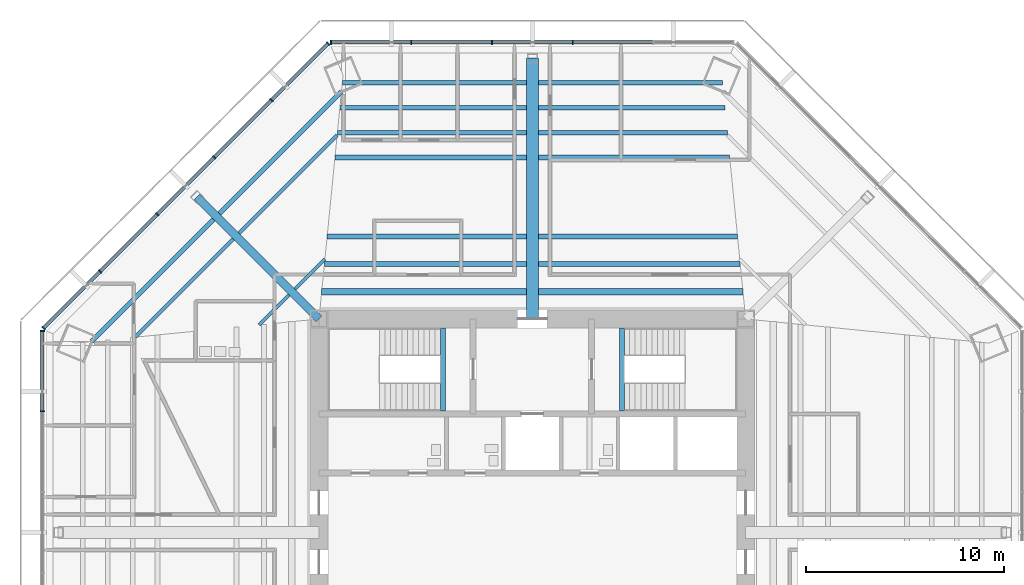
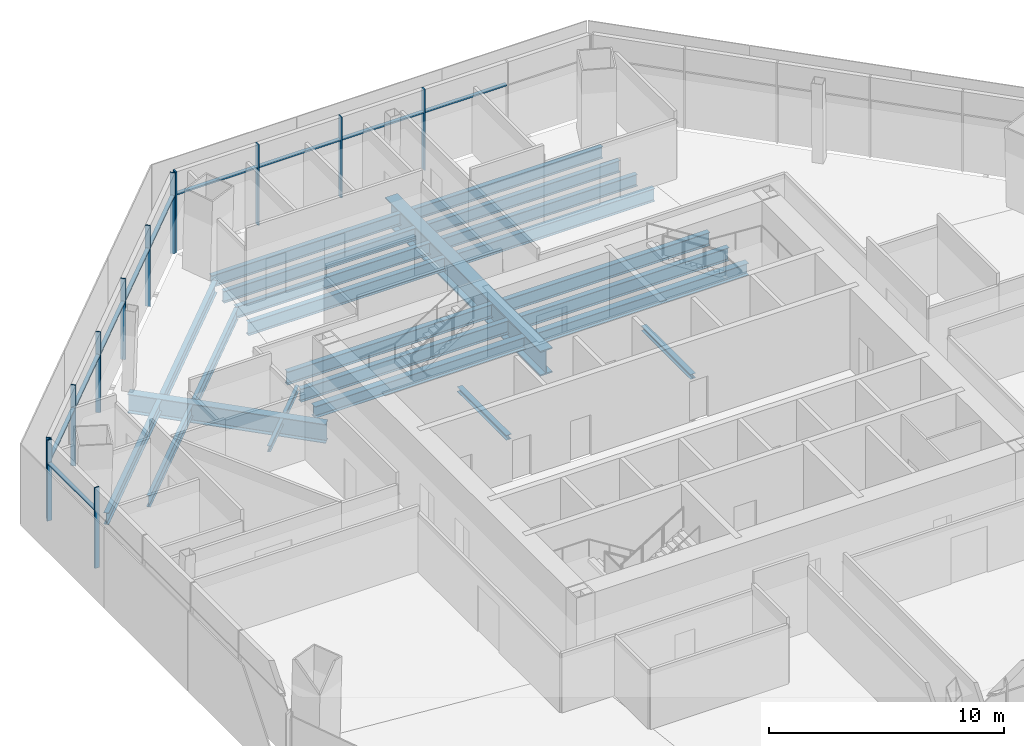
# One storey, part 5 of 14: 24 beams, 22 members, 3 elements without a shape of their own.
"""IFC4 building model written with IfcOpenShell, lengths in metres."""

from ifc_helpers import new_model, si_unit, direction, frame, origin, origin_2d, place, context, subcontext, project, spatial, rectangle, i_section, extrude, source, transform, mapped, material, material_profile, profile_set, type_object, type_shapes, element, aggregate, save


model = new_model("IFC4")

# Units and contexts
model_context = context("Model", 3, precision=1e-05, world=origin(), true_north=direction((0.0, 1.0)))
body_context = subcontext(model_context, "Body", "Model", "MODEL_VIEW")
ifc_project = project(units=[si_unit("LENGTHUNIT", "METRE"), si_unit("AREAUNIT", "SQUARE_METRE"), si_unit("VOLUMEUNIT", "CUBIC_METRE"), si_unit("PLANEANGLEUNIT", "RADIAN"), si_unit("MASSUNIT", "GRAM", prefix="KILO")], contexts=[model_context])

# Site, building, storey
site_placement = place(None, origin())
site = spatial("IfcSite", under=ifc_project, at=site_placement, CompositionType="ELEMENT")
building_placement = place(site_placement, origin())
building = spatial("IfcBuilding", under=site, at=building_placement, Name="Mashrafa Tower", CompositionType="ELEMENT")
storey_placement = place(building_placement, frame((0.0, 0.0, 113.39990234375)))
storey = spatial("IfcBuildingStorey", under=building, at=storey_placement, Name="L25", CompositionType="ELEMENT", Elevation=113.39990234375)

# Beams
ifc_material_1 = material(Name="Steel ASTM A572 Gr 50", Category="steel")
ifc_material_profile_1 = material_profile(ifc_material_1, i_section(OverallWidth=0.60009765625, OverallDepth=1.300048828125, WebThickness=0.028076171875, FlangeThickness=0.06494140625, at=origin_2d()), Name="H1300X600X28X65")
ifc_profile_set_1 = profile_set([ifc_material_profile_1], Name="Steel ASTM A572 Gr 50")
beam_type_1 = type_object("IfcBeamType", Name="Beam H1300X600X28X65", PredefinedType="BEAM", material=ifc_profile_set_1)
beam_1_placement = place(storey_placement, frame((0.0, 10.800048828125, -0.81494140625), z_axis=(0.0, 1.0, 0.0), x_axis=(-1.0, 0.0, 0.0)))
element("IfcBeam", 1, at=beam_1_placement, inside=storey, type_object=beam_type_1, Name="Radial girder L25 085", PredefinedType="BEAM", context=body_context, shape_type="SweptSolid", body=[
    extrude(i_section(OverallWidth=0.60009765625, OverallDepth=1.300048828125, WebThickness=0.028076171875, FlangeThickness=0.06494140625, at=origin_2d()), origin(), (0.0, 0.0, 1.0), 13.21142578125),
])
ifc_material_2 = material(Name="Steel ASTM A992", Category="steel")
ifc_material_profile_2 = material_profile(ifc_material_2, i_section(OverallWidth=0.164794921875, OverallDepth=0.309814453125, WebThickness=0.005859375, FlangeThickness=0.009765625, FilletRadius=0.007568359375, at=origin_2d()), Name="W12X26")
ifc_profile_set_2 = profile_set([ifc_material_profile_2], Name="Steel ASTM A992")
beam_type_2 = type_object("IfcBeamType", Name="Beam W12X26", PredefinedType="BEAM", material=ifc_profile_set_2)
for number, where, z_axis, x_axis, name in (
    (2, (-13.82763671875, 10.5009765625, -0.31982421875), (0.707050042428, 0.707163515393, 0.0), (-0.707163515393, 0.707050042428, 0.0), "Floor beam L25 017"),
    (3, (-12.0224609375, 12.306396484375, -0.31982421875), (0.707163515393, 0.707050042428, 0.0), (-0.707050042428, 0.707163515393, 0.0), "Floor beam L25 023"),
):
    element("IfcBeam", number, at=place(storey_placement, frame(where, z_axis=z_axis, x_axis=x_axis)), inside=storey, type_object=beam_type_2, Name=name, PredefinedType="BEAM", context=body_context, shape_type="SweptSolid", body=[
        extrude(i_section(OverallWidth=0.164794921875, OverallDepth=0.309814453125, WebThickness=0.005859375, FlangeThickness=0.009765625, FilletRadius=0.007568359375, at=origin_2d()), origin(), (0.0, 0.0, 1.0), 2.151611328125),
    ])
ifc_material_3 = material(Name="Steel ASTM A992", Category="steel")
ifc_material_profile_3 = material_profile(ifc_material_3, i_section(OverallWidth=0.3251953125, OverallDepth=0.612060546875, WebThickness=0.0126953125, FlangeThickness=0.01904296875, FilletRadius=0.0126953125, at=origin_2d()), Name="W24X104")
ifc_profile_set_3 = profile_set([ifc_material_profile_3], Name="Steel ASTM A992")
beam_type_3 = type_object("IfcBeamType", Name="Beam W24X104", PredefinedType="BEAM", material=ifc_profile_set_3)
for number, where, z_axis, x_axis, name in (
    (4, (-10.662841796875, 12.18896484375, -0.470947265625), (1.0, 0.0, 0.0), (0.0, 1.0, 0.0), "Floor beam L25 024"),
    (5, (0.300048828125, 12.18896484375, -0.470947265625), (1.0, 0.0, 0.0), (0.0, 1.0, 0.0), "Floor beam L25 041"),
):
    element("IfcBeam", number, at=place(storey_placement, frame(where, z_axis=z_axis, x_axis=x_axis)), inside=storey, type_object=beam_type_3, Name=name, PredefinedType="BEAM", context=body_context, shape_type="SweptSolid", body=[
        extrude(i_section(OverallWidth=0.3251953125, OverallDepth=0.612060546875, WebThickness=0.0126953125, FlangeThickness=0.01904296875, FilletRadius=0.0126953125, at=origin_2d()), origin(), (0.0, 0.0, 1.0), 10.36279296875),
    ])
ifc_material_4 = material(Name="Steel ASTM A992", Category="steel")
ifc_material_profile_4 = material_profile(ifc_material_4, i_section(OverallWidth=0.177978515625, OverallDepth=0.599365234375, WebThickness=0.010009765625, FlangeThickness=0.012939453125, FilletRadius=0.012939453125, at=origin_2d()), Name="W24X55")
ifc_profile_set_4 = profile_set([ifc_material_profile_4], Name="Steel ASTM A992")
beam_type_4 = type_object("IfcBeamType", Name="Beam W24X55", PredefinedType="BEAM", material=ifc_profile_set_4)
for number, where, z_axis, x_axis, name in (
    (6, (-20.1044921875, 9.881103515625, -0.464599609375), (0.707106781187, 0.707106781187, 0.0), (-0.707106781187, 0.707106781187, 0.0), "Floor beam L25 008"),
    (7, (-14.850830078125, 15.134765625, -0.464599609375), (0.707106781187, 0.707106781187, 0.0), (-0.707106781187, 0.707106781187, 0.0), "Floor beam L25 014"),
):
    element("IfcBeam", number, at=place(storey_placement, frame(where, z_axis=z_axis, x_axis=x_axis)), inside=storey, type_object=beam_type_4, Name=name, PredefinedType="BEAM", context=body_context, shape_type="SweptSolid", body=[
        extrude(i_section(OverallWidth=0.177978515625, OverallDepth=0.599365234375, WebThickness=0.010009765625, FlangeThickness=0.012939453125, FilletRadius=0.012939453125, at=origin_2d()), origin(), (0.0, 0.0, 1.0), 7.0283203125),
    ])
ifc_material_5 = material(Name="Steel ASTM A992", Category="steel")
ifc_material_profile_5 = material_profile(ifc_material_5, i_section(OverallWidth=0.228271484375, OverallDepth=0.607177734375, WebThickness=0.01123046875, FlangeThickness=0.017333984375, FilletRadius=0.0126953125, at=origin_2d()), Name="W24X76")
ifc_profile_set_5 = profile_set([ifc_material_profile_5], Name="Steel ASTM A992")
beam_type_5 = type_object("IfcBeamType", Name="Beam W24X76", PredefinedType="BEAM", material=ifc_profile_set_5)
for number, where, z_axis, x_axis, name in (
    (8, (-22.307861328125, 9.66357421875, -0.468505859375), (0.707106781187, 0.707106781187, 0.0), (-0.707106781187, 0.707106781187, 0.0), "Floor beam L25 003"),
    (9, (-15.84375, 16.127685546875, -0.468505859375), (0.707106781187, 0.707106781187, 0.0), (-0.707106781187, 0.707106781187, 0.0), "Floor beam L25 012"),
):
    element("IfcBeam", number, at=place(storey_placement, frame(where, z_axis=z_axis, x_axis=x_axis)), inside=storey, type_object=beam_type_5, Name=name, PredefinedType="BEAM", context=body_context, shape_type="SweptSolid", body=[
        extrude(i_section(OverallWidth=0.228271484375, OverallDepth=0.607177734375, WebThickness=0.01123046875, FlangeThickness=0.017333984375, FilletRadius=0.0126953125, at=origin_2d()), origin(), (0.0, 0.0, 1.0), 8.739990234375),
    ])
ifc_material_6 = material(Name="Steel ASTM A992", Category="steel")
ifc_material_profile_6 = material_profile(ifc_material_6, i_section(OverallWidth=0.22900390625, OverallDepth=0.612060546875, WebThickness=0.011962890625, FlangeThickness=0.01953125, FilletRadius=0.0126953125, at=origin_2d()), Name="W24X84")
ifc_profile_set_6 = profile_set([ifc_material_profile_6], Name="Steel ASTM A992")
beam_type_6 = type_object("IfcBeamType", Name="Beam W24X84", PredefinedType="BEAM", material=ifc_profile_set_6)
beam_2_placement = place(storey_placement, frame((-9.868896484375, 20.22802734375, -0.470947265625), z_axis=(1.0, 0.0, 0.0), x_axis=(0.0, 1.0, 0.0)))
element("IfcBeam", 10, at=beam_2_placement, inside=storey, type_object=beam_type_6, Name="Floor beam L25 030", PredefinedType="BEAM", context=body_context, shape_type="SweptSolid", body=[
    extrude(i_section(OverallWidth=0.22900390625, OverallDepth=0.612060546875, WebThickness=0.011962890625, FlangeThickness=0.01953125, FilletRadius=0.0126953125, at=origin_2d()), origin(), (0.0, 0.0, 1.0), 9.56884765625),
])
beam_3_placement = place(storey_placement, frame((-9.744384765625, 21.4892578125, -0.470947265625), z_axis=(1.0, 0.0, 0.0), x_axis=(0.0, 1.0, 0.0)))
element("IfcBeam", 11, at=beam_3_placement, inside=storey, type_object=beam_type_6, Name="Floor beam L25 031", PredefinedType="BEAM", context=body_context, shape_type="SweptSolid", body=[
    extrude(i_section(OverallWidth=0.22900390625, OverallDepth=0.612060546875, WebThickness=0.011962890625, FlangeThickness=0.01953125, FilletRadius=0.0126953125, at=origin_2d()), origin(), (0.0, 0.0, 1.0), 9.4443359375),
])
beam_4_placement = place(storey_placement, frame((-9.619873046875, 22.75048828125, -0.470947265625), z_axis=(1.0, 0.0, 0.0), x_axis=(0.0, 1.0, 0.0)))
element("IfcBeam", 12, at=beam_4_placement, inside=storey, type_object=beam_type_6, Name="Floor beam L25 033", PredefinedType="BEAM", context=body_context, shape_type="SweptSolid", body=[
    extrude(i_section(OverallWidth=0.22900390625, OverallDepth=0.612060546875, WebThickness=0.011962890625, FlangeThickness=0.01953125, FilletRadius=0.0126953125, at=origin_2d()), origin(), (0.0, 0.0, 1.0), 9.31982421875),
])
beam_5_placement = place(storey_placement, frame((0.300048828125, 20.22802734375, -0.470947265625), z_axis=(1.0, 0.0, 0.0), x_axis=(0.0, 1.0, 0.0)))
element("IfcBeam", 13, at=beam_5_placement, inside=storey, type_object=beam_type_6, Name="Floor beam L25 045", PredefinedType="BEAM", context=body_context, shape_type="SweptSolid", body=[
    extrude(i_section(OverallWidth=0.22900390625, OverallDepth=0.612060546875, WebThickness=0.011962890625, FlangeThickness=0.01953125, FilletRadius=0.0126953125, at=origin_2d()), origin(), (0.0, 0.0, 1.0), 9.56884765625),
])
beam_6_placement = place(storey_placement, frame((0.300048828125, 21.4892578125, -0.470947265625), z_axis=(1.0, 0.0, 0.0), x_axis=(0.0, 1.0, 0.0)))
element("IfcBeam", 14, at=beam_6_placement, inside=storey, type_object=beam_type_6, Name="Floor beam L25 046", PredefinedType="BEAM", context=body_context, shape_type="SweptSolid", body=[
    extrude(i_section(OverallWidth=0.22900390625, OverallDepth=0.612060546875, WebThickness=0.011962890625, FlangeThickness=0.01953125, FilletRadius=0.0126953125, at=origin_2d()), origin(), (0.0, 0.0, 1.0), 9.4443359375),
])
beam_7_placement = place(storey_placement, frame((0.300048828125, 22.75048828125, -0.470947265625), z_axis=(1.0, 0.0, 0.0), x_axis=(0.0, 1.0, 0.0)))
element("IfcBeam", 15, at=beam_7_placement, inside=storey, type_object=beam_type_6, Name="Floor beam L25 047", PredefinedType="BEAM", context=body_context, shape_type="SweptSolid", body=[
    extrude(i_section(OverallWidth=0.22900390625, OverallDepth=0.612060546875, WebThickness=0.011962890625, FlangeThickness=0.01953125, FilletRadius=0.0126953125, at=origin_2d()), origin(), (0.0, 0.0, 1.0), 9.31982421875),
])
ifc_material_7 = material(Name="Steel ASTM A992", Category="steel")
ifc_material_profile_7 = material_profile(ifc_material_7, i_section(OverallWidth=0.25390625, OverallDepth=0.67822265625, WebThickness=0.01171875, FlangeThickness=0.016357421875, FilletRadius=0.01513671875, at=origin_2d()), Name="W27X84")
ifc_profile_set_7 = profile_set([ifc_material_profile_7], Name="Steel ASTM A992")
beam_type_7 = type_object("IfcBeamType", Name="Beam W27X84", PredefinedType="BEAM", material=ifc_profile_set_7)
for number, where, z_axis, x_axis, name in (
    (16, (-9.993408203125, 18.967041015625, -0.50390625), (1.0, 0.0, 0.0), (0.0, 1.0, 0.0), "Floor beam L25 028"),
    (17, (0.300048828125, 18.967041015625, -0.50390625), (1.0, 0.0, 0.0), (0.0, 1.0, 0.0), "Floor beam L25 044"),
):
    element("IfcBeam", number, at=place(storey_placement, frame(where, z_axis=z_axis, x_axis=x_axis)), inside=storey, type_object=beam_type_7, Name=name, PredefinedType="BEAM", context=body_context, shape_type="SweptSolid", body=[
        extrude(i_section(OverallWidth=0.25390625, OverallDepth=0.67822265625, WebThickness=0.01171875, FlangeThickness=0.016357421875, FilletRadius=0.01513671875, at=origin_2d()), origin(), (0.0, 0.0, 1.0), 9.693359375),
    ])
ifc_material_8 = material(Name="Steel ASTM A992", Category="steel")
ifc_material_profile_8 = material_profile(ifc_material_8, i_section(OverallWidth=0.25390625, OverallDepth=0.683349609375, WebThickness=0.012451171875, FlangeThickness=0.01904296875, FilletRadius=0.01513671875, at=origin_2d()), Name="W27X94")
ifc_profile_set_8 = profile_set([ifc_material_profile_8], Name="Steel ASTM A992")
beam_type_8 = type_object("IfcBeamType", Name="Beam W27X94", PredefinedType="BEAM", material=ifc_profile_set_8)
beam_8_placement = place(storey_placement, frame((-10.525634765625, 13.577880859375, -0.506591796875), z_axis=(1.0, 0.0, 0.0), x_axis=(0.0, 1.0, 0.0)))
element("IfcBeam", 18, at=beam_8_placement, inside=storey, type_object=beam_type_8, Name="Floor beam L25 025", PredefinedType="BEAM", context=body_context, shape_type="SweptSolid", body=[
    extrude(i_section(OverallWidth=0.25390625, OverallDepth=0.683349609375, WebThickness=0.012451171875, FlangeThickness=0.01904296875, FilletRadius=0.01513671875, at=origin_2d()), origin(), (0.0, 0.0, 1.0), 10.2255859375),
])
beam_9_placement = place(storey_placement, frame((-10.388427734375, 14.967041015625, -0.506591796875), z_axis=(1.0, 0.0, 0.0), x_axis=(0.0, 1.0, 0.0)))
element("IfcBeam", 19, at=beam_9_placement, inside=storey, type_object=beam_type_8, Name="Floor beam L25 027", PredefinedType="BEAM", context=body_context, shape_type="SweptSolid", body=[
    extrude(i_section(OverallWidth=0.25390625, OverallDepth=0.683349609375, WebThickness=0.012451171875, FlangeThickness=0.01904296875, FilletRadius=0.01513671875, at=origin_2d()), origin(), (0.0, 0.0, 1.0), 10.08837890625),
])
beam_10_placement = place(storey_placement, frame((0.300048828125, 13.577880859375, -0.506591796875), z_axis=(1.0, 0.0, 0.0), x_axis=(0.0, 1.0, 0.0)))
element("IfcBeam", 20, at=beam_10_placement, inside=storey, type_object=beam_type_8, Name="Floor beam L25 042", PredefinedType="BEAM", context=body_context, shape_type="SweptSolid", body=[
    extrude(i_section(OverallWidth=0.25390625, OverallDepth=0.683349609375, WebThickness=0.012451171875, FlangeThickness=0.01904296875, FilletRadius=0.01513671875, at=origin_2d()), origin(), (0.0, 0.0, 1.0), 10.2255859375),
])
beam_11_placement = place(storey_placement, frame((0.300048828125, 14.967041015625, -0.506591796875), z_axis=(1.0, 0.0, 0.0), x_axis=(0.0, 1.0, 0.0)))
element("IfcBeam", 21, at=beam_11_placement, inside=storey, type_object=beam_type_8, Name="Floor beam L25 043", PredefinedType="BEAM", context=body_context, shape_type="SweptSolid", body=[
    extrude(i_section(OverallWidth=0.25390625, OverallDepth=0.683349609375, WebThickness=0.012451171875, FlangeThickness=0.01904296875, FilletRadius=0.01513671875, at=origin_2d()), origin(), (0.0, 0.0, 1.0), 10.08837890625),
])
ifc_material_9 = material(Name="Steel ASTM A992", Category="steel")
ifc_material_profile_9 = material_profile(ifc_material_9, i_section(OverallWidth=0.4013671875, OverallDepth=0.98291015625, WebThickness=0.0166015625, FlangeThickness=0.027099609375, FilletRadius=0.0126953125, at=origin_2d()), Name="W40X199")
ifc_profile_set_9 = profile_set([ifc_material_profile_9], Name="Steel ASTM A992")
beam_type_9 = type_object("IfcBeamType", Name="Beam W40X199", PredefinedType="BEAM", material=ifc_profile_set_9)
beam_12_placement = place(storey_placement, frame((-10.800048828125, 10.800048828125, -0.656494140625), z_axis=(-0.707106781187, 0.707106781187, 0.0), x_axis=(-0.707106781187, -0.707106781187, 0.0)))
element("IfcBeam", 22, at=beam_12_placement, inside=storey, type_object=beam_type_9, Name="Radial girder L25 083", PredefinedType="BEAM", context=body_context, shape_type="SweptSolid", body=[
    extrude(i_section(OverallWidth=0.4013671875, OverallDepth=0.98291015625, WebThickness=0.0166015625, FlangeThickness=0.027099609375, FilletRadius=0.0126953125, at=origin_2d()), origin(), (0.0, 0.0, 1.0), 8.738037109375),
])
ifc_material_10 = material(Name="Steel ASTM A992", Category="steel")
ifc_material_profile_10 = material_profile(ifc_material_10, i_section(OverallWidth=0.25390625, OverallDepth=0.25390625, WebThickness=0.008544921875, FlangeThickness=0.01416015625, FilletRadius=0.010009765625, at=origin_2d()), Name="W10X49")
ifc_profile_set_10 = profile_set([ifc_material_profile_10], Name="Steel ASTM A992")
beam_type_10 = type_object("IfcBeamType", Name="Hoistway beam W10X49", PredefinedType="BEAM", material=ifc_profile_set_10)
for number, where, z_axis, x_axis, name in (
    (23, (-4.530029296875, 6.14990234375, -0.326904296875), (0.0, 1.0, 0.0), (-1.0, 0.0, 0.0), "Stair S1 landing beam L25"),
    (24, (4.530029296875, 6.14990234375, -0.326904296875), (0.0, 1.0, 0.0), (-1.0, 0.0, 0.0), "Stair S2 landing beam L25"),
):
    element("IfcBeam", number, at=place(storey_placement, frame(where, z_axis=z_axis, x_axis=x_axis)), inside=storey, type_object=beam_type_10, Name=name, PredefinedType="BEAM", context=body_context, shape_type="SweptSolid", body=[
        extrude(i_section(OverallWidth=0.25390625, OverallDepth=0.25390625, WebThickness=0.008544921875, FlangeThickness=0.01416015625, FilletRadius=0.010009765625, at=origin_2d()), origin(), (0.0, 0.0, 1.0), 4.2001953125),
    ])

# Curtain wall, members
ifc_material_11 = material(Name="Unitised aluminium curtain wall", Category="aluminium")
curtain_wall_type = type_object("IfcCurtainWallType", Name="Office curtain wall, zone 2 CW-B 225 deep", PredefinedType="NOTDEFINED", material=ifc_material_11)
curtain_wall_1_placement = place(storey_placement, origin())
curtain_wall_1 = element("IfcCurtainWall", 25, at=curtain_wall_1_placement, inside=storey, type_object=curtain_wall_type, Name="Office curtain wall, zone 2 L25 north", PredefinedType="NOTDEFINED")
ifc_material_12 = material(Name="Extruded aluminium mullion", Category="aluminium")
ifc_material_profile_11 = material_profile(ifc_material_12, rectangle(XDim=0.22509765625, YDim=0.06494140625, at=origin_2d()), Name="Mullion 65x225")
ifc_profile_set_11 = profile_set([ifc_material_profile_11], Name="Extruded aluminium mullion")
member_type_1 = type_object("IfcMemberType", Name="Mullion CW-B 65 x 225", PredefinedType="MULLION", material=ifc_profile_set_11)
shared_shape_1 = source(origin(), body_context, "Body", "SweptSolid", [
    extrude(rectangle(XDim=0.22509765625, YDim=0.06494140625, at=origin_2d()), origin(), (0.0, 0.0, 1.0), 4.2001953125),
])
type_shapes(member_type_1, [shared_shape_1])
member_1_placement = place(storey_placement, frame((2.043701171875, 24.806884765625, 0.0), z_axis=(0.0, 0.0, 1.0), x_axis=(0.0, -1.0, 0.0)))
member_1 = element("IfcMember", 26, at=member_1_placement, type_object=member_type_1, Name="CW-B mullion 3", PredefinedType="MULLION", context=body_context, shape_type="MappedRepresentation", body=[
    mapped(shared_shape_1, transform((0.0, 0.0, 0.0))),
])
member_2_placement = place(storey_placement, frame((-2.043701171875, 24.806884765625, 0.0), z_axis=(0.0, 0.0, 1.0), x_axis=(0.0, -1.0, 0.0)))
member_2 = element("IfcMember", 27, at=member_2_placement, type_object=member_type_1, Name="CW-B mullion 4", PredefinedType="MULLION", context=body_context, shape_type="MappedRepresentation", body=[
    mapped(shared_shape_1, transform((0.0, 0.0, 0.0))),
])
member_3_placement = place(storey_placement, frame((-6.13134765625, 24.806884765625, 0.0), z_axis=(0.0, 0.0, 1.0), x_axis=(0.0, -1.0, 0.0)))
member_3 = element("IfcMember", 28, at=member_3_placement, type_object=member_type_1, Name="CW-B mullion 5", PredefinedType="MULLION", context=body_context, shape_type="MappedRepresentation", body=[
    mapped(shared_shape_1, transform((0.0, 0.0, 0.0))),
])
member_4_placement = place(storey_placement, frame((-10.186279296875, 24.806884765625, 0.0), z_axis=(0.0, 0.0, 1.0), x_axis=(0.0, -1.0, 0.0)))
member_4 = element("IfcMember", 29, at=member_4_placement, type_object=member_type_1, Name="CW-B mullion 6", PredefinedType="MULLION", context=body_context, shape_type="MappedRepresentation", body=[
    mapped(shared_shape_1, transform((0.0, 0.0, 0.0))),
])

curtain_wall_2_placement = place(storey_placement, origin())
curtain_wall_2 = element("IfcCurtainWall", 30, at=curtain_wall_2_placement, inside=storey, type_object=curtain_wall_type, Name="Office curtain wall, zone 2 L25 north-west", PredefinedType="NOTDEFINED")
member_5_placement = place(storey_placement, frame((-10.33837890625, 24.743896484375, 0.0), z_axis=(0.0, 0.0, 1.0), x_axis=(0.707106781187, -0.707106781187, 0.0)))
member_5 = element("IfcMember", 31, at=member_5_placement, type_object=member_type_1, Name="CW-B mullion 1", PredefinedType="MULLION", context=body_context, shape_type="MappedRepresentation", body=[
    mapped(shared_shape_1, transform((0.0, 0.0, 0.0))),
])
member_6_placement = place(storey_placement, frame((-13.20556640625, 21.87646484375, 0.0), z_axis=(0.0, 0.0, 1.0), x_axis=(0.707106781187, -0.707106781187, 0.0)))
member_6 = element("IfcMember", 32, at=member_6_placement, type_object=member_type_1, Name="CW-B mullion 2", PredefinedType="MULLION", context=body_context, shape_type="MappedRepresentation", body=[
    mapped(shared_shape_1, transform((0.0, 0.0, 0.0))),
])
member_7_placement = place(storey_placement, frame((-16.095947265625, 18.986083984375, 0.0), z_axis=(0.0, 0.0, 1.0), x_axis=(0.707106781187, -0.707106781187, 0.0)))
member_7 = element("IfcMember", 33, at=member_7_placement, type_object=member_type_1, Name="CW-B mullion 3", PredefinedType="MULLION", context=body_context, shape_type="MappedRepresentation", body=[
    mapped(shared_shape_1, transform((0.0, 0.0, 0.0))),
])
member_8_placement = place(storey_placement, frame((-18.986083984375, 16.095947265625, 0.0), z_axis=(0.0, 0.0, 1.0), x_axis=(0.707106781187, -0.707106781187, 0.0)))
member_8 = element("IfcMember", 34, at=member_8_placement, type_object=member_type_1, Name="CW-B mullion 4", PredefinedType="MULLION", context=body_context, shape_type="MappedRepresentation", body=[
    mapped(shared_shape_1, transform((0.0, 0.0, 0.0))),
])
member_9_placement = place(storey_placement, frame((-21.87646484375, 13.20556640625, 0.0), z_axis=(0.0, 0.0, 1.0), x_axis=(0.707106781187, -0.707106781187, 0.0)))
member_9 = element("IfcMember", 35, at=member_9_placement, type_object=member_type_1, Name="CW-B mullion 5", PredefinedType="MULLION", context=body_context, shape_type="MappedRepresentation", body=[
    mapped(shared_shape_1, transform((0.0, 0.0, 0.0))),
])
member_10_placement = place(storey_placement, frame((-24.743896484375, 10.33837890625, 0.0), z_axis=(0.0, 0.0, 1.0), x_axis=(0.707106781187, -0.707106781187, 0.0)))
member_10 = element("IfcMember", 36, at=member_10_placement, type_object=member_type_1, Name="CW-B mullion 6", PredefinedType="MULLION", context=body_context, shape_type="MappedRepresentation", body=[
    mapped(shared_shape_1, transform((0.0, 0.0, 0.0))),
])

curtain_wall_3_placement = place(storey_placement, origin())
curtain_wall_3 = element("IfcCurtainWall", 37, at=curtain_wall_3_placement, inside=storey, type_object=curtain_wall_type, Name="Office curtain wall, zone 2 L25 west", PredefinedType="NOTDEFINED")
member_11_placement = place(storey_placement, frame((-24.806884765625, 10.186279296875, 0.0), z_axis=(0.0, 0.0, 1.0), x_axis=(1.0, 0.0, 0.0)))
member_11 = element("IfcMember", 38, at=member_11_placement, type_object=member_type_1, Name="CW-B mullion 1", PredefinedType="MULLION", context=body_context, shape_type="MappedRepresentation", body=[
    mapped(shared_shape_1, transform((0.0, 0.0, 0.0))),
])
member_12_placement = place(storey_placement, frame((-24.806884765625, 6.13134765625, 0.0), z_axis=(0.0, 0.0, 1.0), x_axis=(1.0, 0.0, 0.0)))
member_12 = element("IfcMember", 39, at=member_12_placement, type_object=member_type_1, Name="CW-B mullion 2", PredefinedType="MULLION", context=body_context, shape_type="MappedRepresentation", body=[
    mapped(shared_shape_1, transform((0.0, 0.0, 0.0))),
])

# Member
ifc_material_13 = material(Name="Extruded aluminium transom", Category="aluminium")
ifc_material_profile_12 = material_profile(ifc_material_13, rectangle(XDim=0.179931640625, YDim=0.080078125, at=origin_2d()), Name="Transom 80x180")
ifc_profile_set_12 = profile_set([ifc_material_profile_12], Name="Extruded aluminium transom")
member_type_2 = type_object("IfcMemberType", Name="Transom CW-B 80 x 180", PredefinedType="MULLION", material=ifc_profile_set_12)
shared_shape_2 = source(origin(), body_context, "Body", "SweptSolid", [
    extrude(rectangle(XDim=0.179931640625, YDim=0.080078125, at=origin_2d()), origin(), (0.0, 0.0, 1.0), 3.989990234375),
])
member_13_placement = place(storey_placement, frame((-6.163818359375, 24.806884765625, 3.0), z_axis=(-1.0, 0.0, 0.0), x_axis=(0.0, -1.0, 0.0)))
member_13 = element("IfcMember", 40, at=member_13_placement, type_object=member_type_2, Name="CW-B transom 5", PredefinedType="MULLION", context=body_context, shape_type="MappedRepresentation", body=[
    mapped(shared_shape_2, transform((0.0, 0.0, 0.0))),
])

member_14_placement = place(storey_placement, frame((-10.361328125, 24.720703125, 3.0), z_axis=(-0.707106781187, -0.707106781187, 0.0), x_axis=(0.707106781187, -0.707106781187, 0.0)))
member_14 = element("IfcMember", 41, at=member_14_placement, type_object=member_type_2, Name="CW-B transom 1", PredefinedType="MULLION", context=body_context, shape_type="MappedRepresentation", body=[
    mapped(shared_shape_2, transform((0.0, 0.0, 0.0))),
])

member_15_placement = place(storey_placement, frame((-21.8994140625, 13.1826171875, 3.0), z_axis=(-0.707106781187, -0.707106781187, 0.0), x_axis=(0.707106781187, -0.707106781187, 0.0)))
member_15 = element("IfcMember", 42, at=member_15_placement, type_object=member_type_2, Name="CW-B transom 5", PredefinedType="MULLION", context=body_context, shape_type="MappedRepresentation", body=[
    mapped(shared_shape_2, transform((0.0, 0.0, 0.0))),
])

member_16_placement = place(storey_placement, frame((-24.806884765625, 10.15380859375, 3.0), z_axis=(0.0, -1.0, 0.0), x_axis=(1.0, 0.0, 0.0)))
member_16 = element("IfcMember", 43, at=member_16_placement, type_object=member_type_2, Name="CW-B transom 1", PredefinedType="MULLION", context=body_context, shape_type="MappedRepresentation", body=[
    mapped(shared_shape_2, transform((0.0, 0.0, 0.0))),
])

aggregate(curtain_wall_3, [member_11, member_12, member_16])

shared_shape_3 = source(origin(), body_context, "Body", "SweptSolid", [
    extrude(rectangle(XDim=0.179931640625, YDim=0.080078125, at=origin_2d()), origin(), (0.0, 0.0, 1.0), 4.0224609375),
])
type_shapes(member_type_2, [shared_shape_2, shared_shape_3])
member_17_placement = place(storey_placement, frame((6.0986328125, 24.806884765625, 3.0), z_axis=(-1.0, 0.0, 0.0), x_axis=(0.0, -1.0, 0.0)))
member_17 = element("IfcMember", 44, at=member_17_placement, type_object=member_type_2, Name="CW-B transom 2", PredefinedType="MULLION", context=body_context, shape_type="MappedRepresentation", body=[
    mapped(shared_shape_3, transform((0.0, 0.0, 0.0))),
])

member_18_placement = place(storey_placement, frame((2.01123046875, 24.806884765625, 3.0), z_axis=(-1.0, 0.0, 0.0), x_axis=(0.0, -1.0, 0.0)))
member_18 = element("IfcMember", 45, at=member_18_placement, type_object=member_type_2, Name="CW-B transom 3", PredefinedType="MULLION", context=body_context, shape_type="MappedRepresentation", body=[
    mapped(shared_shape_3, transform((0.0, 0.0, 0.0))),
])

member_19_placement = place(storey_placement, frame((-2.076171875, 24.806884765625, 3.0), z_axis=(-1.0, 0.0, 0.0), x_axis=(0.0, -1.0, 0.0)))
member_19 = element("IfcMember", 46, at=member_19_placement, type_object=member_type_2, Name="CW-B transom 4", PredefinedType="MULLION", context=body_context, shape_type="MappedRepresentation", body=[
    mapped(shared_shape_3, transform((0.0, 0.0, 0.0))),
])

aggregate(curtain_wall_1, [member_1, member_2, member_3, member_4, member_17, member_18, member_19, member_13])

member_20_placement = place(storey_placement, frame((-13.228515625, 21.853515625, 3.0), z_axis=(-0.707137127163, -0.707076433907, 0.0), x_axis=(0.707076433907, -0.707137127163, 0.0)))
member_20 = element("IfcMember", 47, at=member_20_placement, type_object=member_type_2, Name="CW-B transom 2", PredefinedType="MULLION", context=body_context, shape_type="MappedRepresentation", body=[
    mapped(shared_shape_3, transform((0.0, 0.0, 0.0))),
])

member_21_placement = place(storey_placement, frame((-16.118896484375, 18.963134765625, 3.0), z_axis=(-0.707106781187, -0.707106781187, 0.0), x_axis=(0.707106781187, -0.707106781187, 0.0)))
member_21 = element("IfcMember", 48, at=member_21_placement, type_object=member_type_2, Name="CW-B transom 3", PredefinedType="MULLION", context=body_context, shape_type="MappedRepresentation", body=[
    mapped(shared_shape_3, transform((0.0, 0.0, 0.0))),
])

member_22_placement = place(storey_placement, frame((-19.00927734375, 16.072998046875, 3.0), z_axis=(-0.707076433907, -0.707137127163, 0.0), x_axis=(0.707137127163, -0.707076433907, 0.0)))
member_22 = element("IfcMember", 49, at=member_22_placement, type_object=member_type_2, Name="CW-B transom 4", PredefinedType="MULLION", context=body_context, shape_type="MappedRepresentation", body=[
    mapped(shared_shape_3, transform((0.0, 0.0, 0.0))),
])

aggregate(curtain_wall_2, [member_5, member_6, member_7, member_8, member_9, member_10, member_14, member_20, member_21, member_22, member_15])

save(model, "model.ifc")
